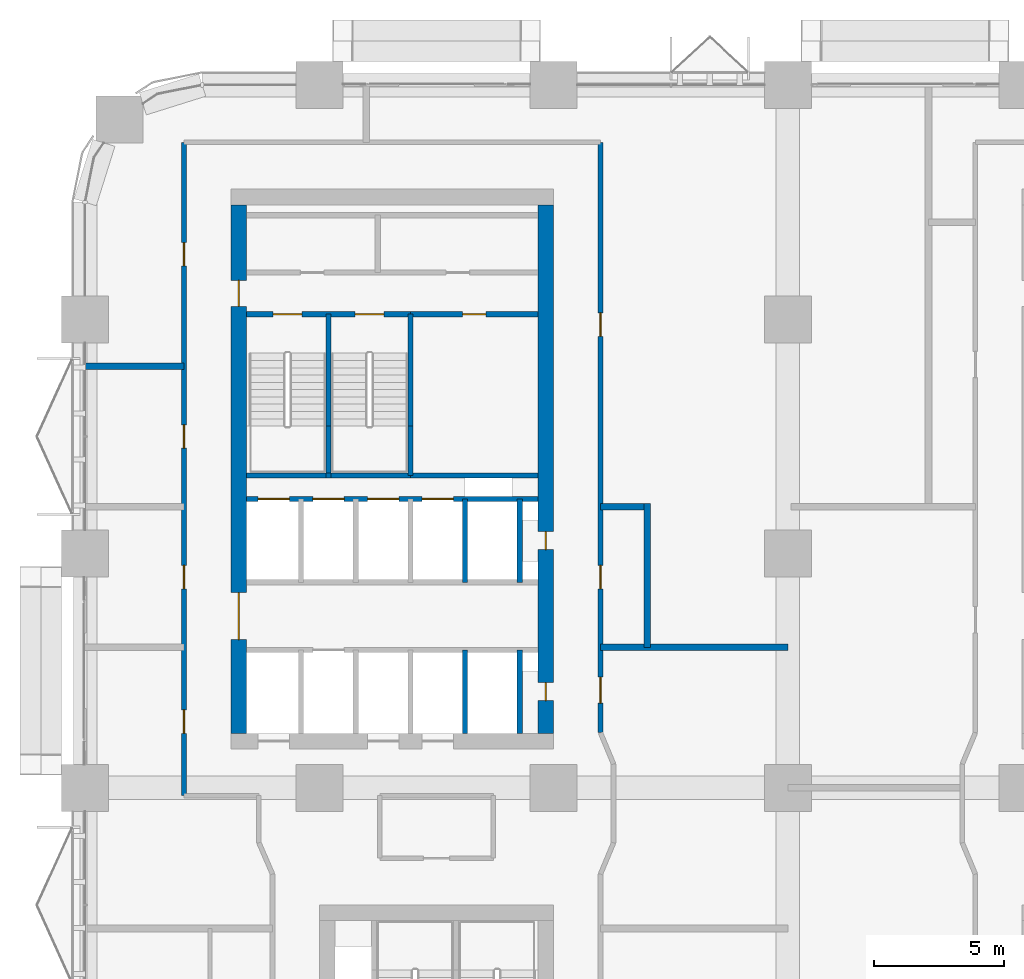
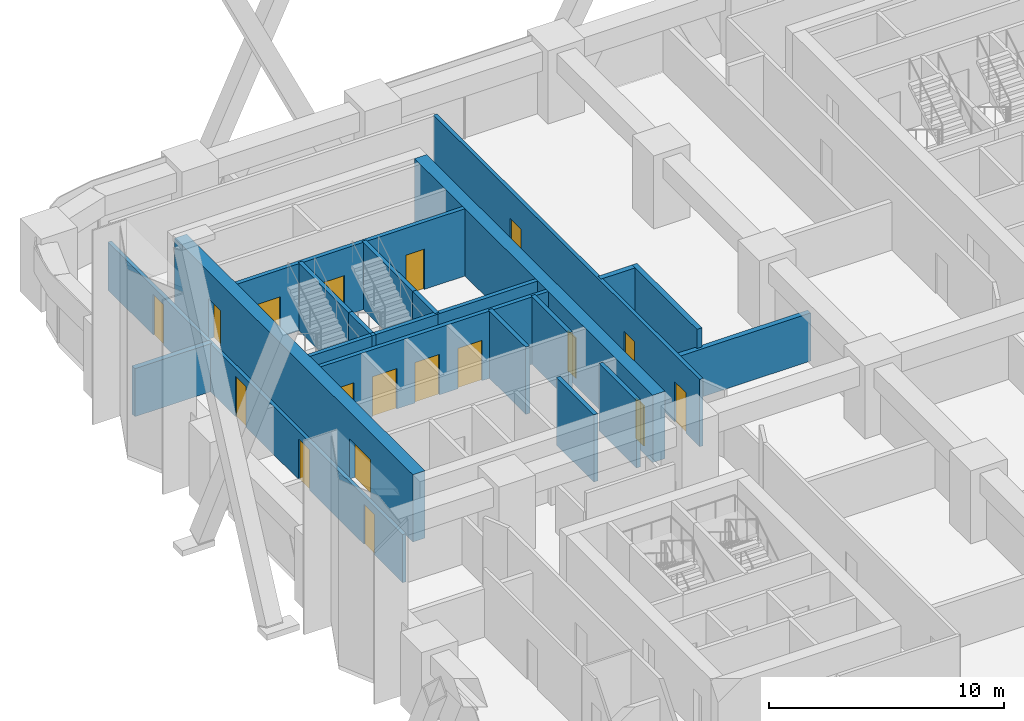
# One storey, part 20 of 26: 23 walls, 18 doors, 18 openings.
"""IFC4 building model written with IfcOpenShell, lengths in metres."""

from ifc_helpers import new_model, si_unit, direction, frame, frame_2d, origin, place, context, subcontext, project, spatial, rectangle, extrude, material, layer, layer_set, type_object, element, fill, save


model = new_model("IFC4")

# Units and contexts
model_context = context("Model", 3, precision=1e-05, world=origin(), true_north=direction((0.0, 1.0)))
body_context = subcontext(model_context, "Body", "Model", "MODEL_VIEW")
ifc_project = project(units=[si_unit("LENGTHUNIT", "METRE"), si_unit("AREAUNIT", "SQUARE_METRE"), si_unit("VOLUMEUNIT", "CUBIC_METRE"), si_unit("PLANEANGLEUNIT", "RADIAN"), si_unit("MASSUNIT", "GRAM", prefix="KILO")], contexts=[model_context])

# Site, building, storey
site_placement = place(None, origin())
site = spatial("IfcSite", under=ifc_project, at=site_placement, CompositionType="ELEMENT")
building_placement = place(site_placement, origin())
building = spatial("IfcBuilding", under=site, at=building_placement, Name="Tessera Arch", CompositionType="ELEMENT")
storey_placement = place(building_placement, frame((0.0, 0.0, 31.0)))
storey = spatial("IfcBuildingStorey", under=building, at=storey_placement, Name="L05", CompositionType="ELEMENT", Elevation=31.0)

# Wall, opening, door
ifc_material_1 = material(Name="Gypsum board on steel stud", Category="steel")
ifc_layer_1 = layer(ifc_material_1, 0.125)
ifc_layer_set_1 = layer_set([ifc_layer_1], Name="Core partition 125 EI 60")
wall_type_1 = type_object("IfcWallType", Name="Core partition 125 EI 60", PredefinedType="PARTITIONING", material=ifc_layer_set_1)
wall_1_placement = place(storey_placement, frame((12.5, 45.199951171875, 0.0), z_axis=(0.0, 0.0, 1.0), x_axis=(1.0, 0.0, 0.0)))
wall_1 = element("IfcWall", 1, at=wall_1_placement, inside=storey, type_object=wall_type_1, Name="L05 C2 partition wall 23", PredefinedType="PARTITIONING", context=body_context, shape_type="SweptSolid", body=[
    extrude(rectangle(XDim=4.89990234375, YDim=0.199951171875, at=frame_2d((2.449951171875, 0.0))), origin(), (0.0, 0.0, 1.0), 3.5),
])
opening_1_placement = place(wall_1_placement, frame((2.0, 0.0, 0.0)))
opening_1 = element("IfcOpeningElement", 2, at=opening_1_placement, cuts=wall_1, Name="Opening L05-C30", PredefinedType="OPENING", context=body_context, shape_type="SweptSolid", body=[
    extrude(rectangle(XDim=0.89990234375, YDim=2.10009765625, at=frame_2d((0.449951171875, 1.050048828125))), frame((0.0, 0.10986328125, 0.0), z_axis=(0.0, -1.0, 0.0), x_axis=(1.0, 0.0, 0.0)), (0.0, 0.0, 1.0), 0.219970703125),
])
ifc_material_2 = material(Name="Steel door leaf", Category="steel")
door_type_1 = type_object("IfcDoorType", Name="Store door FD30S 900 x 2100", OperationType="SINGLE_SWING_LEFT", PredefinedType="DOOR", material=ifc_material_2)
door_1_placement = place(opening_1_placement, origin())
door_1 = element("IfcDoor", 3, at=door_1_placement, inside=storey, type_object=door_type_1, Name="L05 C2 door 17 C30 type D09", OperationType="SINGLE_SWING_RIGHT", OverallHeight=2.10009765625, OverallWidth=0.89990234375, PredefinedType="DOOR", context=body_context, shape_type="SweptSolid", body=[
    extrude(rectangle(XDim=0.89990234375, YDim=2.10009765625, at=frame_2d((0.449951171875, 1.050048828125))), frame((0.0, 0.02490234375, 0.0), z_axis=(0.0, -1.0, 0.0), x_axis=(1.0, 0.0, 0.0)), (0.0, 0.0, 1.0), 0.050048828125),
])
fill(opening_1, door_1)

# Wall, openings, doors
ifc_material_3 = material(Name="Concrete C70/85", Category="concrete")
ifc_layer_2 = layer(ifc_material_3, 0.60009765625)
ifc_layer_set_2 = layer_set([ifc_layer_2], Name="Core shell wall 600 C70-85")
wall_type_2 = type_object("IfcWallType", Name="Core shell wall 600 C70-85", PredefinedType="SHEAR", material=ifc_layer_set_2)
wall_2_placement = place(storey_placement, frame((5.89990234375, 29.10009765625, 0.0), z_axis=(0.0, 0.0, 1.0), x_axis=(0.0, 1.0, 0.0)))
wall_2 = element("IfcWall", 4, at=wall_2_placement, inside=storey, type_object=wall_type_2, Name="L05 C2 core wall W", PredefinedType="SHEAR", context=body_context, shape_type="SweptSolid", body=[
    extrude(rectangle(XDim=20.2998046875, YDim=0.60009765625, at=frame_2d((10.14990234375, 0.0))), origin(), (0.0, 0.0, 1.0), 3.5),
])
opening_2_placement = place(wall_2_placement, frame((3.60009765625, 0.0, 0.0)))
opening_2 = element("IfcOpeningElement", 5, at=opening_2_placement, cuts=wall_2, Name="Opening L05-C24", PredefinedType="OPENING", context=body_context, shape_type="SweptSolid", body=[
    extrude(rectangle(XDim=1.800048828125, YDim=2.10009765625, at=frame_2d((0.89990234375, 1.050048828125))), frame((0.0, 0.31005859375, 0.0), z_axis=(0.0, -1.0, 0.0), x_axis=(1.0, 0.0, 0.0)), (0.0, 0.0, 1.0), 0.6201171875),
])
opening_3_placement = place(wall_2_placement, frame((16.39990234375, 0.0, 0.0)))
opening_3 = element("IfcOpeningElement", 6, at=opening_3_placement, cuts=wall_2, Name="Opening L05-C27", PredefinedType="OPENING", context=body_context, shape_type="SweptSolid", body=[
    extrude(rectangle(XDim=1.0, YDim=2.10009765625, at=frame_2d((0.5, 1.050048828125))), frame((0.0, 0.31005859375, 0.0), z_axis=(0.0, -1.0, 0.0), x_axis=(1.0, 0.0, 0.0)), (0.0, 0.0, 1.0), 0.6201171875),
])
ifc_material_4 = material(Name="Steel door leaf", Category="steel")
door_type_2 = type_object("IfcDoorType", Name="Corridor door FD60 1000 x 2100", OperationType="SINGLE_SWING_LEFT", PredefinedType="DOOR", material=ifc_material_4)
door_2_placement = place(opening_3_placement, origin())
door_2 = element("IfcDoor", 7, at=door_2_placement, inside=storey, type_object=door_type_2, Name="L05 C2 door 14 C27 type D12", OperationType="SINGLE_SWING_RIGHT", OverallHeight=2.10009765625, OverallWidth=1.0, PredefinedType="DOOR", context=body_context, shape_type="SweptSolid", body=[
    extrude(rectangle(XDim=1.0, YDim=2.10009765625, at=frame_2d((0.5, 1.050048828125))), frame((0.0, 0.02490234375, 0.0), z_axis=(0.0, -1.0, 0.0), x_axis=(1.0, 0.0, 0.0)), (0.0, 0.0, 1.0), 0.050048828125),
])
fill(opening_3, door_2)
ifc_material_5 = material(Name="Glazed steel door leaf", Category="steel")
door_type_3 = type_object("IfcDoorType", Name="Lobby double door FD30S 1800 x 2100", OperationType="DOUBLE_DOOR_SINGLE_SWING", PredefinedType="DOOR", material=ifc_material_5)
door_3_placement = place(opening_2_placement, origin())
door_3 = element("IfcDoor", 8, at=door_3_placement, inside=storey, type_object=door_type_3, Name="L05 C2 door 11 C24 type D06", OperationType="DOUBLE_DOOR_SINGLE_SWING", OverallHeight=2.10009765625, OverallWidth=1.800048828125, PredefinedType="DOOR", context=body_context, shape_type="SweptSolid", body=[
    extrude(rectangle(XDim=1.800048828125, YDim=2.10009765625, at=frame_2d((0.89990234375, 1.050048828125))), frame((0.0, 0.02490234375, 0.0), z_axis=(0.0, -1.0, 0.0), x_axis=(1.0, 0.0, 0.0)), (0.0, 0.0, 1.0), 0.050048828125),
])
fill(opening_2, door_3)

wall_3_placement = place(storey_placement, frame((17.699951171875, 29.10009765625, 0.0), z_axis=(0.0, 0.0, 1.0), x_axis=(0.0, 1.0, 0.0)))
wall_3 = element("IfcWall", 9, at=wall_3_placement, inside=storey, type_object=wall_type_2, Name="L05 C2 core wall E", PredefinedType="SHEAR", context=body_context, shape_type="SweptSolid", body=[
    extrude(rectangle(XDim=20.2998046875, YDim=0.60009765625, at=frame_2d((10.14990234375, 0.0))), origin(), (0.0, 0.0, 1.0), 3.5),
])
opening_4_placement = place(wall_3_placement, frame((1.25, 0.0, 0.0)))
opening_4 = element("IfcOpeningElement", 10, at=opening_4_placement, cuts=wall_3, Name="Opening L05-C22", PredefinedType="OPENING", context=body_context, shape_type="SweptSolid", body=[
    extrude(rectangle(XDim=0.699951171875, YDim=2.10009765625, at=frame_2d((0.35009765625, 1.050048828125))), frame((0.0, 0.31005859375, 0.0), z_axis=(0.0, -1.0, 0.0), x_axis=(1.0, 0.0, 0.0)), (0.0, 0.0, 1.0), 0.6201171875),
])
opening_5_placement = place(wall_3_placement, frame((7.050048828125, 0.0, 0.0)))
opening_5 = element("IfcOpeningElement", 11, at=opening_5_placement, cuts=wall_3, Name="Opening L05-C23", PredefinedType="OPENING", context=body_context, shape_type="SweptSolid", body=[
    extrude(rectangle(XDim=0.699951171875, YDim=2.10009765625, at=frame_2d((0.35009765625, 1.050048828125))), frame((0.0, 0.31005859375, 0.0), z_axis=(0.0, -1.0, 0.0), x_axis=(1.0, 0.0, 0.0)), (0.0, 0.0, 1.0), 0.6201171875),
])
ifc_material_6 = material(Name="Steel door leaf", Category="steel")
door_type_4 = type_object("IfcDoorType", Name="Service shaft door FD60 700 x 2100", OperationType="SINGLE_SWING_LEFT", PredefinedType="DOOR", material=ifc_material_6)
door_4_placement = place(opening_4_placement, origin())
door_4 = element("IfcDoor", 12, at=door_4_placement, inside=storey, type_object=door_type_4, Name="L05 C2 door 9 C22 type D07", OperationType="SINGLE_SWING_LEFT", OverallHeight=2.10009765625, OverallWidth=0.699951171875, PredefinedType="DOOR", context=body_context, shape_type="SweptSolid", body=[
    extrude(rectangle(XDim=0.699951171875, YDim=2.10009765625, at=frame_2d((0.35009765625, 1.050048828125))), frame((0.0, 0.02490234375, 0.0), z_axis=(0.0, -1.0, 0.0), x_axis=(1.0, 0.0, 0.0)), (0.0, 0.0, 1.0), 0.050048828125),
])
fill(opening_4, door_4)
door_5_placement = place(opening_5_placement, origin())
door_5 = element("IfcDoor", 13, at=door_5_placement, inside=storey, type_object=door_type_4, Name="L05 C2 door 10 C23 type D07", OperationType="SINGLE_SWING_LEFT", OverallHeight=2.10009765625, OverallWidth=0.699951171875, PredefinedType="DOOR", context=body_context, shape_type="SweptSolid", body=[
    extrude(rectangle(XDim=0.699951171875, YDim=2.10009765625, at=frame_2d((0.35009765625, 1.050048828125))), frame((0.0, 0.02490234375, 0.0), z_axis=(0.0, -1.0, 0.0), x_axis=(1.0, 0.0, 0.0)), (0.0, 0.0, 1.0), 0.050048828125),
])
fill(opening_5, door_5)

ifc_material_7 = material(Name="Gypsum board on deep steel stud with mineral wool", Category="steel")
ifc_layer_3 = layer(ifc_material_7, 0.175048828125)
ifc_layer_set_3 = layer_set([ifc_layer_3], Name="Corridor wall 175 EI 60")
wall_type_3 = type_object("IfcWallType", Name="Corridor wall 175 EI 60", PredefinedType="PARTITIONING", material=ifc_layer_set_3)
wall_4_placement = place(storey_placement, frame((3.800048828125, 26.699951171875, 0.0), z_axis=(0.0, 0.0, 1.0), x_axis=(0.0, 1.0, 0.0)))
wall_4 = element("IfcWall", 14, at=wall_4_placement, inside=storey, type_object=wall_type_3, Name="L05 partition 11", PredefinedType="PARTITIONING", context=body_context, shape_type="SweptSolid", body=[
    extrude(rectangle(XDim=25.10009765625, YDim=0.175048828125, at=frame_2d((12.550048828125, 0.0))), origin(), (0.0, 0.0, 1.0), 2.5),
])
opening_6_placement = place(wall_4_placement, frame((2.39990234375, 0.0, 0.0)))
opening_6 = element("IfcOpeningElement", 15, at=opening_6_placement, cuts=wall_4, Name="Opening L05-D020", PredefinedType="OPENING", context=body_context, shape_type="SweptSolid", body=[
    extrude(rectangle(XDim=0.89990234375, YDim=2.10009765625, at=frame_2d((0.449951171875, 1.050048828125))), frame((0.0, 0.097412109375, 0.0), z_axis=(0.0, -1.0, 0.0), x_axis=(1.0, 0.0, 0.0)), (0.0, 0.0, 1.0), 0.195068359375),
])
opening_7_placement = place(wall_4_placement, frame((7.949951171875, 0.0, 0.0)))
opening_7 = element("IfcOpeningElement", 16, at=opening_7_placement, cuts=wall_4, Name="Opening L05-D024", PredefinedType="OPENING", context=body_context, shape_type="SweptSolid", body=[
    extrude(rectangle(XDim=0.89990234375, YDim=2.10009765625, at=frame_2d((0.449951171875, 1.050048828125))), frame((0.0, 0.097412109375, 0.0), z_axis=(0.0, -1.0, 0.0), x_axis=(1.0, 0.0, 0.0)), (0.0, 0.0, 1.0), 0.195068359375),
])
opening_8_placement = place(wall_4_placement, frame((13.35009765625, 0.0, 0.0)))
opening_8 = element("IfcOpeningElement", 17, at=opening_8_placement, cuts=wall_4, Name="Opening L05-D026", PredefinedType="OPENING", context=body_context, shape_type="SweptSolid", body=[
    extrude(rectangle(XDim=0.89990234375, YDim=2.10009765625, at=frame_2d((0.449951171875, 1.050048828125))), frame((0.0, 0.097412109375, 0.0), z_axis=(0.0, -1.0, 0.0), x_axis=(1.0, 0.0, 0.0)), (0.0, 0.0, 1.0), 0.195068359375),
])
opening_9_placement = place(wall_4_placement, frame((20.35009765625, 0.0, 0.0)))
opening_9 = element("IfcOpeningElement", 18, at=opening_9_placement, cuts=wall_4, Name="Opening L05-D030", PredefinedType="OPENING", context=body_context, shape_type="SweptSolid", body=[
    extrude(rectangle(XDim=0.89990234375, YDim=2.10009765625, at=frame_2d((0.449951171875, 1.050048828125))), frame((0.0, 0.097412109375, 0.0), z_axis=(0.0, -1.0, 0.0), x_axis=(1.0, 0.0, 0.0)), (0.0, 0.0, 1.0), 0.195068359375),
])
ifc_material_8 = material(Name="Timber door leaf", Category="wood")
door_type_5 = type_object("IfcDoorType", Name="Room door 900 x 2100", OperationType="SINGLE_SWING_LEFT", PredefinedType="DOOR", material=ifc_material_8)
door_6_placement = place(opening_6_placement, origin())
door_6 = element("IfcDoor", 19, at=door_6_placement, inside=storey, type_object=door_type_5, Name="L05 door D020 type D01", OperationType="SINGLE_SWING_RIGHT", OverallHeight=2.10009765625, OverallWidth=0.89990234375, PredefinedType="DOOR", context=body_context, shape_type="SweptSolid", body=[
    extrude(rectangle(XDim=0.89990234375, YDim=2.10009765625, at=frame_2d((0.449951171875, 1.050048828125))), frame((0.0, 0.02490234375, 0.0), z_axis=(0.0, -1.0, 0.0), x_axis=(1.0, 0.0, 0.0)), (0.0, 0.0, 1.0), 0.050048828125),
])
fill(opening_6, door_6)
door_7_placement = place(opening_7_placement, origin())
door_7 = element("IfcDoor", 20, at=door_7_placement, inside=storey, type_object=door_type_5, Name="L05 door D024 type D01", OperationType="SINGLE_SWING_RIGHT", OverallHeight=2.10009765625, OverallWidth=0.89990234375, PredefinedType="DOOR", context=body_context, shape_type="SweptSolid", body=[
    extrude(rectangle(XDim=0.89990234375, YDim=2.10009765625, at=frame_2d((0.449951171875, 1.050048828125))), frame((0.0, 0.02490234375, 0.0), z_axis=(0.0, -1.0, 0.0), x_axis=(1.0, 0.0, 0.0)), (0.0, 0.0, 1.0), 0.050048828125),
])
fill(opening_7, door_7)
door_8_placement = place(opening_8_placement, origin())
door_8 = element("IfcDoor", 21, at=door_8_placement, inside=storey, type_object=door_type_5, Name="L05 door D026 type D01", OperationType="SINGLE_SWING_RIGHT", OverallHeight=2.10009765625, OverallWidth=0.89990234375, PredefinedType="DOOR", context=body_context, shape_type="SweptSolid", body=[
    extrude(rectangle(XDim=0.89990234375, YDim=2.10009765625, at=frame_2d((0.449951171875, 1.050048828125))), frame((0.0, 0.02490234375, 0.0), z_axis=(0.0, -1.0, 0.0), x_axis=(1.0, 0.0, 0.0)), (0.0, 0.0, 1.0), 0.050048828125),
])
fill(opening_8, door_8)
door_9_placement = place(opening_9_placement, origin())
door_9 = element("IfcDoor", 22, at=door_9_placement, inside=storey, type_object=door_type_5, Name="L05 door D030 type D01", OperationType="SINGLE_SWING_RIGHT", OverallHeight=2.10009765625, OverallWidth=0.89990234375, PredefinedType="DOOR", context=body_context, shape_type="SweptSolid", body=[
    extrude(rectangle(XDim=0.89990234375, YDim=2.10009765625, at=frame_2d((0.449951171875, 1.050048828125))), frame((0.0, 0.02490234375, 0.0), z_axis=(0.0, -1.0, 0.0), x_axis=(1.0, 0.0, 0.0)), (0.0, 0.0, 1.0), 0.050048828125),
])
fill(opening_9, door_9)

wall_5_placement = place(storey_placement, frame((19.800048828125, 29.1201171875, 0.0), z_axis=(0.0, 0.0, 1.0), x_axis=(0.0, 1.0, 0.0)))
wall_5 = element("IfcWall", 23, at=wall_5_placement, inside=storey, type_object=wall_type_3, Name="L05 partition 17", PredefinedType="PARTITIONING", context=body_context, shape_type="SweptSolid", body=[
    extrude(rectangle(XDim=22.679931640625, YDim=0.175048828125, at=frame_2d((11.33984375, 0.0))), origin(), (0.0, 0.0, 1.0), 3.5),
])
opening_10_placement = place(wall_5_placement, frame((1.139892578125, 0.0, 0.0)))
opening_10 = element("IfcOpeningElement", 24, at=opening_10_placement, cuts=wall_5, Name="Opening L05-D021", PredefinedType="OPENING", context=body_context, shape_type="SweptSolid", body=[
    extrude(rectangle(XDim=1.0, YDim=2.10009765625, at=frame_2d((0.5, 1.050048828125))), frame((0.0, 0.097412109375, 0.0), z_axis=(0.0, -1.0, 0.0), x_axis=(1.0, 0.0, 0.0)), (0.0, 0.0, 1.0), 0.195068359375),
])
opening_11_placement = place(wall_5_placement, frame((5.530029296875, 0.0, 0.0)))
opening_11 = element("IfcOpeningElement", 25, at=opening_11_placement, cuts=wall_5, Name="Opening L05-D025", PredefinedType="OPENING", context=body_context, shape_type="SweptSolid", body=[
    extrude(rectangle(XDim=0.89990234375, YDim=2.10009765625, at=frame_2d((0.449951171875, 1.050048828125))), frame((0.0, 0.097412109375, 0.0), z_axis=(0.0, -1.0, 0.0), x_axis=(1.0, 0.0, 0.0)), (0.0, 0.0, 1.0), 0.195068359375),
])
opening_12_placement = place(wall_5_placement, frame((15.22998046875, 0.0, 0.0)))
opening_12 = element("IfcOpeningElement", 26, at=opening_12_placement, cuts=wall_5, Name="Opening L05-D029", PredefinedType="OPENING", context=body_context, shape_type="SweptSolid", body=[
    extrude(rectangle(XDim=0.89990234375, YDim=2.10009765625, at=frame_2d((0.449951171875, 1.050048828125))), frame((0.0, 0.097412109375, 0.0), z_axis=(0.0, -1.0, 0.0), x_axis=(1.0, 0.0, 0.0)), (0.0, 0.0, 1.0), 0.195068359375),
])
ifc_material_9 = material(Name="Fire-rated door leaf")
door_type_6 = type_object("IfcDoorType", Name="Entrance door FD30S 1000 x 2100", OperationType="SINGLE_SWING_LEFT", PredefinedType="DOOR", material=ifc_material_9)
door_10_placement = place(opening_10_placement, origin())
door_10 = element("IfcDoor", 27, at=door_10_placement, inside=storey, type_object=door_type_6, Name="L05 door D021 type D03", OperationType="SINGLE_SWING_RIGHT", OverallHeight=2.10009765625, OverallWidth=1.0, PredefinedType="DOOR", context=body_context, shape_type="SweptSolid", body=[
    extrude(rectangle(XDim=1.0, YDim=2.10009765625, at=frame_2d((0.5, 1.050048828125))), frame((0.0, 0.02490234375, 0.0), z_axis=(0.0, -1.0, 0.0), x_axis=(1.0, 0.0, 0.0)), (0.0, 0.0, 1.0), 0.050048828125),
])
fill(opening_10, door_10)
door_11_placement = place(opening_11_placement, origin())
door_11 = element("IfcDoor", 28, at=door_11_placement, inside=storey, type_object=door_type_5, Name="L05 door D025 type D01", OperationType="SINGLE_SWING_RIGHT", OverallHeight=2.10009765625, OverallWidth=0.89990234375, PredefinedType="DOOR", context=body_context, shape_type="SweptSolid", body=[
    extrude(rectangle(XDim=0.89990234375, YDim=2.10009765625, at=frame_2d((0.449951171875, 1.050048828125))), frame((0.0, 0.02490234375, 0.0), z_axis=(0.0, -1.0, 0.0), x_axis=(1.0, 0.0, 0.0)), (0.0, 0.0, 1.0), 0.050048828125),
])
fill(opening_11, door_11)
door_12_placement = place(opening_12_placement, origin())
door_12 = element("IfcDoor", 29, at=door_12_placement, inside=storey, type_object=door_type_5, Name="L05 door D029 type D01", OperationType="SINGLE_SWING_RIGHT", OverallHeight=2.10009765625, OverallWidth=0.89990234375, PredefinedType="DOOR", context=body_context, shape_type="SweptSolid", body=[
    extrude(rectangle(XDim=0.89990234375, YDim=2.10009765625, at=frame_2d((0.449951171875, 1.050048828125))), frame((0.0, 0.02490234375, 0.0), z_axis=(0.0, -1.0, 0.0), x_axis=(1.0, 0.0, 0.0)), (0.0, 0.0, 1.0), 0.050048828125),
])
fill(opening_12, door_12)

# Walls
ifc_material_10 = material(Name="Double gypsum board on twin steel stud with acoustic mineral wool", Category="steel")
ifc_layer_4 = layer(ifc_material_10, 0.25)
ifc_layer_set_4 = layer_set([ifc_layer_4], Name="Party wall 250 EI 60")
wall_type_4 = type_object("IfcWallType", Name="Party wall 250 EI 60", PredefinedType="PARTITIONING", material=ifc_layer_set_4)
wall_6_placement = place(storey_placement, frame((19.800048828125, 32.39990234375, 0.0), z_axis=(0.0, 0.0, 1.0), x_axis=(1.0, 0.0, 0.0)))
element("IfcWall", 30, at=wall_6_placement, inside=storey, type_object=wall_type_4, Name="L05 partition 40", PredefinedType="PARTITIONING", context=body_context, shape_type="SweptSolid", body=[
    extrude(rectangle(XDim=7.199951171875, YDim=0.25, at=frame_2d((3.60009765625, 0.0))), origin(), (0.0, 0.0, 1.0), 2.5),
])
wall_7_placement = place(storey_placement, frame((19.800048828125, 37.800048828125, 0.0), z_axis=(0.0, 0.0, 1.0), x_axis=(1.0, 0.0, 0.0)))
element("IfcWall", 31, at=wall_7_placement, inside=storey, type_object=wall_type_4, Name="L05 partition 42", PredefinedType="PARTITIONING", context=body_context, shape_type="SweptSolid", body=[
    extrude(rectangle(XDim=1.675048828125, YDim=0.25, at=frame_2d((0.83740234375, 0.0))), origin(), (0.0, 0.0, 1.0), 3.5),
])
wall_8_placement = place(storey_placement, frame((0.0, 43.199951171875, 0.0), z_axis=(0.0, 0.0, 1.0), x_axis=(1.0, 0.0, 0.0)))
element("IfcWall", 32, at=wall_8_placement, inside=storey, type_object=wall_type_4, Name="L05 partition 45", PredefinedType="PARTITIONING", context=body_context, shape_type="SweptSolid", body=[
    extrude(rectangle(XDim=3.800048828125, YDim=0.25, at=frame_2d((1.89990234375, 0.0))), origin(), (0.0, 0.0, 1.0), 2.5),
])
wall_9_placement = place(storey_placement, frame((21.60009765625, 32.39990234375, 0.0), z_axis=(0.0, 0.0, 1.0), x_axis=(0.0, 1.0, 0.0)))
element("IfcWall", 33, at=wall_9_placement, inside=storey, type_object=wall_type_4, Name="L05 partition 51", PredefinedType="PARTITIONING", context=body_context, shape_type="SweptSolid", body=[
    extrude(rectangle(XDim=5.525146484375, YDim=0.25, at=frame_2d((2.7626953125, 0.0))), origin(), (0.0, 0.0, 1.0), 3.5),
])
ifc_material_11 = material(Name="Concrete C40/50", Category="concrete")
ifc_layer_5 = layer(ifc_material_11, 0.199951171875)
ifc_layer_set_5 = layer_set([ifc_layer_5], Name="Shaft wall 200 EI 120")
wall_type_5 = type_object("IfcWallType", Name="Shaft wall 200 EI 120", PredefinedType="SOLIDWALL", material=ifc_layer_set_5)
wall_10_placement = place(storey_placement, frame((14.60009765625, 29.10009765625, 0.0), z_axis=(0.0, 0.0, 1.0), x_axis=(0.0, 1.0, 0.0)))
element("IfcWall", 34, at=wall_10_placement, inside=storey, type_object=wall_type_5, Name="L05 C2 shaft wall 12", PredefinedType="SOLIDWALL", context=body_context, shape_type="SweptSolid", body=[
    extrude(rectangle(XDim=3.199951171875, YDim=0.199951171875, at=frame_2d((1.60009765625, 0.0))), origin(), (0.0, 0.0, 1.0), 3.5),
])
wall_11_placement = place(storey_placement, frame((14.60009765625, 34.89990234375, 0.0), z_axis=(0.0, 0.0, 1.0), x_axis=(0.0, 1.0, 0.0)))
element("IfcWall", 35, at=wall_11_placement, inside=storey, type_object=wall_type_5, Name="L05 C2 shaft wall 13", PredefinedType="SOLIDWALL", context=body_context, shape_type="SweptSolid", body=[
    extrude(rectangle(XDim=3.2001953125, YDim=0.199951171875, at=frame_2d((1.60009765625, 0.0))), origin(), (0.0, 0.0, 1.0), 3.5),
])
wall_12_placement = place(storey_placement, frame((16.699951171875, 29.10009765625, 0.0), z_axis=(0.0, 0.0, 1.0), x_axis=(0.0, 1.0, 0.0)))
element("IfcWall", 36, at=wall_12_placement, inside=storey, type_object=wall_type_5, Name="L05 C2 shaft wall 14", PredefinedType="SOLIDWALL", context=body_context, shape_type="SweptSolid", body=[
    extrude(rectangle(XDim=3.199951171875, YDim=0.199951171875, at=frame_2d((1.60009765625, 0.0))), origin(), (0.0, 0.0, 1.0), 3.5),
])
wall_13_placement = place(storey_placement, frame((16.699951171875, 34.89990234375, 0.0), z_axis=(0.0, 0.0, 1.0), x_axis=(0.0, 1.0, 0.0)))
element("IfcWall", 37, at=wall_13_placement, inside=storey, type_object=wall_type_5, Name="L05 C2 shaft wall 15", PredefinedType="SOLIDWALL", context=body_context, shape_type="SweptSolid", body=[
    extrude(rectangle(XDim=3.2001953125, YDim=0.199951171875, at=frame_2d((1.60009765625, 0.0))), origin(), (0.0, 0.0, 1.0), 3.5),
])

# Wall, openings, doors
wall_14_placement = place(storey_placement, frame((6.199951171875, 38.10009765625, 0.0), z_axis=(0.0, 0.0, 1.0), x_axis=(1.0, 0.0, 0.0)))
wall_14 = element("IfcWall", 38, at=wall_14_placement, inside=storey, type_object=wall_type_5, Name="L05 C2 shaft wall 18", PredefinedType="SOLIDWALL", context=body_context, shape_type="SweptSolid", body=[
    extrude(rectangle(XDim=11.199951171875, YDim=0.199951171875, at=frame_2d((5.60009765625, 0.0))), origin(), (0.0, 0.0, 1.0), 3.5),
])
opening_13_placement = place(wall_14_placement, frame((0.449951171875, 0.0, 0.0)))
opening_13 = element("IfcOpeningElement", 39, at=opening_13_placement, cuts=wall_14, Name="Opening L05-C18", PredefinedType="OPENING", context=body_context, shape_type="SweptSolid", body=[
    extrude(rectangle(XDim=1.199951171875, YDim=2.10009765625, at=frame_2d((0.60009765625, 1.050048828125))), frame((0.0, 0.10986328125, 0.0), z_axis=(0.0, -1.0, 0.0), x_axis=(1.0, 0.0, 0.0)), (0.0, 0.0, 1.0), 0.219970703125),
])
opening_14_placement = place(wall_14_placement, frame((2.550048828125, 0.0, 0.0)))
opening_14 = element("IfcOpeningElement", 40, at=opening_14_placement, cuts=wall_14, Name="Opening L05-C19", PredefinedType="OPENING", context=body_context, shape_type="SweptSolid", body=[
    extrude(rectangle(XDim=1.199951171875, YDim=2.10009765625, at=frame_2d((0.60009765625, 1.050048828125))), frame((0.0, 0.10986328125, 0.0), z_axis=(0.0, -1.0, 0.0), x_axis=(1.0, 0.0, 0.0)), (0.0, 0.0, 1.0), 0.219970703125),
])
opening_15_placement = place(wall_14_placement, frame((4.64990234375, 0.0, 0.0)))
opening_15 = element("IfcOpeningElement", 41, at=opening_15_placement, cuts=wall_14, Name="Opening L05-C20", PredefinedType="OPENING", context=body_context, shape_type="SweptSolid", body=[
    extrude(rectangle(XDim=1.199951171875, YDim=2.10009765625, at=frame_2d((0.60009765625, 1.050048828125))), frame((0.0, 0.10986328125, 0.0), z_axis=(0.0, -1.0, 0.0), x_axis=(1.0, 0.0, 0.0)), (0.0, 0.0, 1.0), 0.219970703125),
])
opening_16_placement = place(wall_14_placement, frame((6.75, 0.0, 0.0)))
opening_16 = element("IfcOpeningElement", 42, at=opening_16_placement, cuts=wall_14, Name="Opening L05-C21", PredefinedType="OPENING", context=body_context, shape_type="SweptSolid", body=[
    extrude(rectangle(XDim=1.199951171875, YDim=2.10009765625, at=frame_2d((0.60009765625, 1.050048828125))), frame((0.0, 0.10986328125, 0.0), z_axis=(0.0, -1.0, 0.0), x_axis=(1.0, 0.0, 0.0)), (0.0, 0.0, 1.0), 0.219970703125),
])
ifc_material_12 = material(Name="Stainless steel AISI 304", Category="steel")
door_type_7 = type_object("IfcDoorType", Name="Sliding landing door 1200 x 2100", OperationType="SLIDING_TO_LEFT", PredefinedType="DOOR", material=ifc_material_12)
door_13_placement = place(opening_13_placement, origin())
door_13 = element("IfcDoor", 43, at=door_13_placement, inside=storey, type_object=door_type_7, Name="L05 LR5 lift landing door C18 type LD", OperationType="SLIDING_TO_LEFT", OverallHeight=2.10009765625, OverallWidth=1.199951171875, PredefinedType="DOOR", context=body_context, shape_type="SweptSolid", body=[
    extrude(rectangle(XDim=1.199951171875, YDim=2.10009765625, at=frame_2d((0.60009765625, 1.050048828125))), frame((0.0, 0.02490234375, 0.0), z_axis=(0.0, -1.0, 0.0), x_axis=(1.0, 0.0, 0.0)), (0.0, 0.0, 1.0), 0.050048828125),
])
fill(opening_13, door_13)
door_14_placement = place(opening_14_placement, origin())
door_14 = element("IfcDoor", 44, at=door_14_placement, inside=storey, type_object=door_type_7, Name="L05 LR6 lift landing door C19 type LD", OperationType="SLIDING_TO_LEFT", OverallHeight=2.10009765625, OverallWidth=1.199951171875, PredefinedType="DOOR", context=body_context, shape_type="SweptSolid", body=[
    extrude(rectangle(XDim=1.199951171875, YDim=2.10009765625, at=frame_2d((0.60009765625, 1.050048828125))), frame((0.0, 0.02490234375, 0.0), z_axis=(0.0, -1.0, 0.0), x_axis=(1.0, 0.0, 0.0)), (0.0, 0.0, 1.0), 0.050048828125),
])
fill(opening_14, door_14)
door_15_placement = place(opening_15_placement, origin())
door_15 = element("IfcDoor", 45, at=door_15_placement, inside=storey, type_object=door_type_7, Name="L05 LR7 lift landing door C20 type LD", OperationType="SLIDING_TO_LEFT", OverallHeight=2.10009765625, OverallWidth=1.199951171875, PredefinedType="DOOR", context=body_context, shape_type="SweptSolid", body=[
    extrude(rectangle(XDim=1.199951171875, YDim=2.10009765625, at=frame_2d((0.60009765625, 1.050048828125))), frame((0.0, 0.02490234375, 0.0), z_axis=(0.0, -1.0, 0.0), x_axis=(1.0, 0.0, 0.0)), (0.0, 0.0, 1.0), 0.050048828125),
])
fill(opening_15, door_15)
door_16_placement = place(opening_16_placement, origin())
door_16 = element("IfcDoor", 46, at=door_16_placement, inside=storey, type_object=door_type_7, Name="L05 LR8 lift landing door C21 type LD", OperationType="SLIDING_TO_LEFT", OverallHeight=2.10009765625, OverallWidth=1.199951171875, PredefinedType="DOOR", context=body_context, shape_type="SweptSolid", body=[
    extrude(rectangle(XDim=1.199951171875, YDim=2.10009765625, at=frame_2d((0.60009765625, 1.050048828125))), frame((0.0, 0.02490234375, 0.0), z_axis=(0.0, -1.0, 0.0), x_axis=(1.0, 0.0, 0.0)), (0.0, 0.0, 1.0), 0.050048828125),
])
fill(opening_16, door_16)

# Walls
wall_15_placement = place(storey_placement, frame((12.5, 39.0, 0.0), z_axis=(0.0, 0.0, 1.0), x_axis=(1.0, 0.0, 0.0)))
element("IfcWall", 47, at=wall_15_placement, inside=storey, type_object=wall_type_5, Name="L05 C2 shaft wall 19", PredefinedType="SOLIDWALL", context=body_context, shape_type="SweptSolid", body=[
    extrude(rectangle(XDim=4.89990234375, YDim=0.199951171875, at=frame_2d((2.449951171875, 0.0))), origin(), (0.0, 0.0, 1.0), 3.5),
])
ifc_material_13 = material(Name="Concrete C40/50", Category="concrete")
ifc_layer_6 = layer(ifc_material_13, 0.199951171875)
ifc_layer_set_6 = layer_set([ifc_layer_6], Name="Stair well wall 200 REI 180")
wall_type_6 = type_object("IfcWallType", Name="Stair well wall 200 REI 180", PredefinedType="SOLIDWALL", material=ifc_layer_set_6)
wall_16_placement = place(storey_placement, frame((9.35009765625, 39.0, 0.0), z_axis=(0.0, 0.0, 1.0), x_axis=(0.0, 1.0, 0.0)))
element("IfcWall", 48, at=wall_16_placement, inside=storey, type_object=wall_type_6, Name="L05 C2 shaft wall 3", PredefinedType="SOLIDWALL", context=body_context, shape_type="SweptSolid", body=[
    extrude(rectangle(XDim=1.89990234375, YDim=0.199951171875, at=frame_2d((0.949951171875, 0.0))), origin(), (0.0, 0.0, 1.0), 3.5),
])
wall_17_placement = place(storey_placement, frame((9.35009765625, 40.89990234375, 0.0), z_axis=(0.0, 0.0, 1.0), x_axis=(0.0, 1.0, 0.0)))
element("IfcWall", 49, at=wall_17_placement, inside=storey, type_object=wall_type_6, Name="L05 C2 shaft wall 4", PredefinedType="SOLIDWALL", context=body_context, shape_type="SweptSolid", body=[
    extrude(rectangle(XDim=4.300048828125, YDim=0.199951171875, at=frame_2d((2.14990234375, 0.0))), origin(), (0.0, 0.0, 1.0), 3.5),
])
wall_18_placement = place(storey_placement, frame((12.5, 39.0, 0.0), z_axis=(0.0, 0.0, 1.0), x_axis=(0.0, 1.0, 0.0)))
element("IfcWall", 50, at=wall_18_placement, inside=storey, type_object=wall_type_6, Name="L05 C2 shaft wall 10", PredefinedType="SOLIDWALL", context=body_context, shape_type="SweptSolid", body=[
    extrude(rectangle(XDim=1.89990234375, YDim=0.199951171875, at=frame_2d((0.949951171875, 0.0))), origin(), (0.0, 0.0, 1.0), 3.5),
])
wall_19_placement = place(storey_placement, frame((12.5, 40.89990234375, 0.0), z_axis=(0.0, 0.0, 1.0), x_axis=(0.0, 1.0, 0.0)))
element("IfcWall", 51, at=wall_19_placement, inside=storey, type_object=wall_type_6, Name="L05 C2 shaft wall 11", PredefinedType="SOLIDWALL", context=body_context, shape_type="SweptSolid", body=[
    extrude(rectangle(XDim=4.300048828125, YDim=0.199951171875, at=frame_2d((2.14990234375, 0.0))), origin(), (0.0, 0.0, 1.0), 3.5),
])
wall_20_placement = place(storey_placement, frame((6.199951171875, 39.0, 0.0), z_axis=(0.0, 0.0, 1.0), x_axis=(1.0, 0.0, 0.0)))
element("IfcWall", 52, at=wall_20_placement, inside=storey, type_object=wall_type_6, Name="L05 C2 shaft wall 20", PredefinedType="SOLIDWALL", context=body_context, shape_type="SweptSolid", body=[
    extrude(rectangle(XDim=3.050048828125, YDim=0.199951171875, at=frame_2d((1.52490234375, 0.0))), origin(), (0.0, 0.0, 1.0), 3.5),
])
wall_21_placement = place(storey_placement, frame((9.25, 39.0, 0.0), z_axis=(0.0, 0.0, 1.0), x_axis=(1.0, 0.0, 0.0)))
element("IfcWall", 53, at=wall_21_placement, inside=storey, type_object=wall_type_6, Name="L05 C2 shaft wall 21", PredefinedType="SOLIDWALL", context=body_context, shape_type="SweptSolid", body=[
    extrude(rectangle(XDim=0.199951171875, YDim=0.199951171875, at=frame_2d((0.10009765625, 0.0))), origin(), (0.0, 0.0, 1.0), 3.5),
])
wall_22_placement = place(storey_placement, frame((9.449951171875, 39.0, 0.0), z_axis=(0.0, 0.0, 1.0), x_axis=(1.0, 0.0, 0.0)))
element("IfcWall", 54, at=wall_22_placement, inside=storey, type_object=wall_type_6, Name="L05 C2 shaft wall 22", PredefinedType="SOLIDWALL", context=body_context, shape_type="SweptSolid", body=[
    extrude(rectangle(XDim=3.050048828125, YDim=0.199951171875, at=frame_2d((1.52490234375, 0.0))), origin(), (0.0, 0.0, 1.0), 3.5),
])

# Wall, openings, doors
wall_23_placement = place(storey_placement, frame((6.199951171875, 45.199951171875, 0.0), z_axis=(0.0, 0.0, 1.0), x_axis=(1.0, 0.0, 0.0)))
wall_23 = element("IfcWall", 55, at=wall_23_placement, inside=storey, type_object=wall_type_6, Name="L05 C2 shaft wall 24", PredefinedType="SOLIDWALL", context=body_context, shape_type="SweptSolid", body=[
    extrude(rectangle(XDim=6.300048828125, YDim=0.199951171875, at=frame_2d((3.14990234375, 0.0))), origin(), (0.0, 0.0, 1.0), 3.5),
])
opening_17_placement = place(wall_23_placement, frame((1.02490234375, 0.0, 0.0)))
opening_17 = element("IfcOpeningElement", 56, at=opening_17_placement, cuts=wall_23, Name="Opening L05-C25", PredefinedType="OPENING", context=body_context, shape_type="SweptSolid", body=[
    extrude(rectangle(XDim=1.10009765625, YDim=2.10009765625, at=frame_2d((0.550048828125, 1.050048828125))), frame((0.0, 0.10986328125, 0.0), z_axis=(0.0, -1.0, 0.0), x_axis=(1.0, 0.0, 0.0)), (0.0, 0.0, 1.0), 0.219970703125),
])
opening_18_placement = place(wall_23_placement, frame((4.175048828125, 0.0, 0.0)))
opening_18 = element("IfcOpeningElement", 57, at=opening_18_placement, cuts=wall_23, Name="Opening L05-C26", PredefinedType="OPENING", context=body_context, shape_type="SweptSolid", body=[
    extrude(rectangle(XDim=1.10009765625, YDim=2.10009765625, at=frame_2d((0.550048828125, 1.050048828125))), frame((0.0, 0.10986328125, 0.0), z_axis=(0.0, -1.0, 0.0), x_axis=(1.0, 0.0, 0.0)), (0.0, 0.0, 1.0), 0.219970703125),
])
ifc_material_14 = material(Name="Steel door leaf", Category="steel")
door_type_8 = type_object("IfcDoorType", Name="Stair door FD60 1100 x 2100", OperationType="SINGLE_SWING_LEFT", PredefinedType="DOOR", material=ifc_material_14)
door_17_placement = place(opening_17_placement, origin())
door_17 = element("IfcDoor", 58, at=door_17_placement, inside=storey, type_object=door_type_8, Name="L05 C2 door 12 C25 type D05", OperationType="SINGLE_SWING_LEFT", OverallHeight=2.10009765625, OverallWidth=1.10009765625, PredefinedType="DOOR", context=body_context, shape_type="SweptSolid", body=[
    extrude(rectangle(XDim=1.10009765625, YDim=2.10009765625, at=frame_2d((0.550048828125, 1.050048828125))), frame((0.0, 0.02490234375, 0.0), z_axis=(0.0, -1.0, 0.0), x_axis=(1.0, 0.0, 0.0)), (0.0, 0.0, 1.0), 0.050048828125),
])
fill(opening_17, door_17)
door_18_placement = place(opening_18_placement, origin())
door_18 = element("IfcDoor", 59, at=door_18_placement, inside=storey, type_object=door_type_8, Name="L05 C2 door 13 C26 type D05", OperationType="SINGLE_SWING_RIGHT", OverallHeight=2.10009765625, OverallWidth=1.10009765625, PredefinedType="DOOR", context=body_context, shape_type="SweptSolid", body=[
    extrude(rectangle(XDim=1.10009765625, YDim=2.10009765625, at=frame_2d((0.550048828125, 1.050048828125))), frame((0.0, 0.02490234375, 0.0), z_axis=(0.0, -1.0, 0.0), x_axis=(1.0, 0.0, 0.0)), (0.0, 0.0, 1.0), 0.050048828125),
])
fill(opening_18, door_18)

save(model, "model.ifc")
